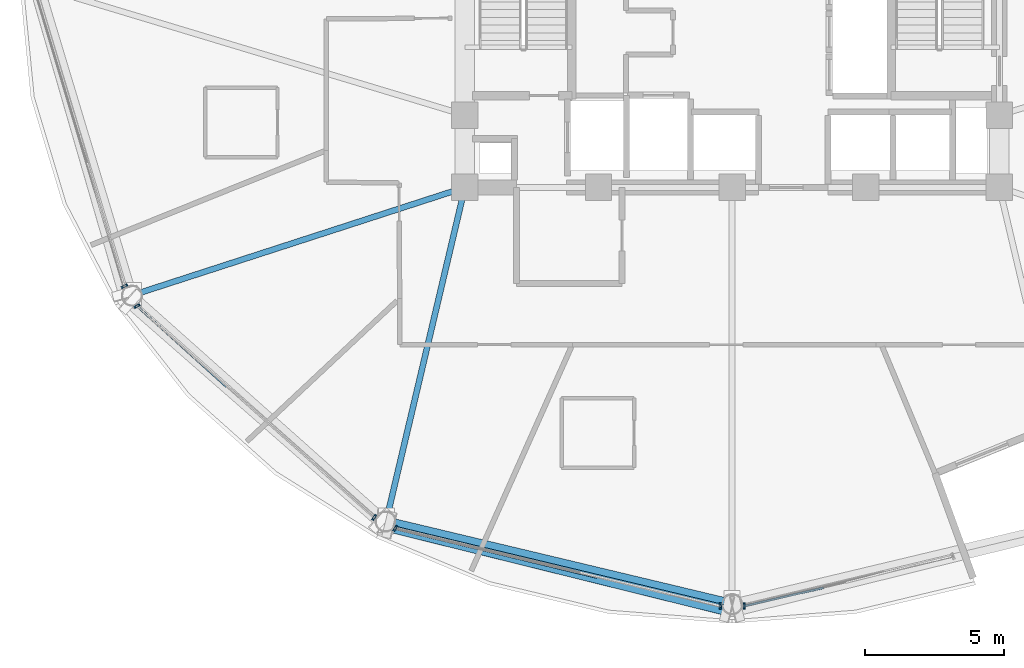
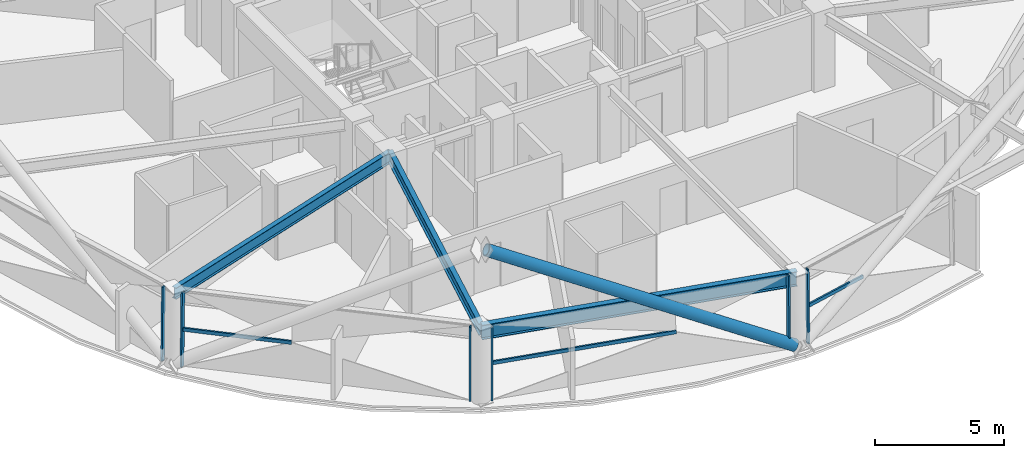
# One storey, part 2 of 17: 10 members, 3 beams, 4 elements without a shape of their own.
"""IFC4 building model written with IfcOpenShell, lengths in metres."""

from ifc_helpers import new_model, si_unit, direction, frame, origin, origin_2d, place, context, subcontext, project, spatial, hollow_rectangle, hollow_circle, i_section, extrude, material, layer, layer_set, material_profile, profile_set, type_object, element, aggregate, save


model = new_model("IFC4")

# Units and contexts
model_context = context("Model", 3, precision=1e-05, world=origin(), true_north=direction((0.0, 1.0)))
body_context = subcontext(model_context, "Body", "Model", "MODEL_VIEW")
ifc_project = project(units=[si_unit("LENGTHUNIT", "METRE"), si_unit("AREAUNIT", "SQUARE_METRE"), si_unit("VOLUMEUNIT", "CUBIC_METRE"), si_unit("PLANEANGLEUNIT", "RADIAN"), si_unit("MASSUNIT", "GRAM", prefix="KILO")], contexts=[model_context])

# Site, building, storey
site_placement = place(None, origin())
site = spatial("IfcSite", under=ifc_project, at=site_placement, CompositionType="ELEMENT")
building_placement = place(site_placement, origin())
building = spatial("IfcBuilding", under=site, at=building_placement, Name="Vantalir Tower", CompositionType="ELEMENT")
storey_placement = place(building_placement, frame((0.0, 0.0, 142.199951171875)))
storey = spatial("IfcBuildingStorey", under=building, at=storey_placement, Name="L35", CompositionType="ELEMENT", Elevation=142.199951171875)

# Beams
ifc_material_1 = material(Name="Steel S355", Category="steel")
ifc_material_profile_1 = material_profile(ifc_material_1, i_section(OverallWidth=0.2109375, OverallDepth=0.5390625, WebThickness=0.01171875, FlangeThickness=0.018798828125, at=origin_2d()), Name="Steel S355")
ifc_profile_set_1 = profile_set([ifc_material_profile_1], Name="Steel S355")
beam_type_1 = type_object("IfcBeamType", Name="BM-RB-533x210", PredefinedType="BEAM", material=ifc_profile_set_1)
beam_1_placement = place(storey_placement, frame((9.98388671875, 13.93798828125, 3.301025390625), z_axis=(0.951283551563, 0.308317376294, 0.0), x_axis=(-0.308317376294, 0.951283551563, 0.0)))
element("IfcBeam", 1, at=beam_1_placement, inside=storey, type_object=beam_type_1, Name="L35 Radial Floor Beam 08", PredefinedType="BEAM", context=body_context, shape_type="SweptSolid", body=[
    extrude(i_section(OverallWidth=0.2109375, OverallDepth=0.5390625, WebThickness=0.01171875, FlangeThickness=0.018798828125, at=origin_2d()), origin(), (0.0, 0.0, 1.0), 12.5263671875),
])
beam_2_placement = place(storey_placement, frame((19.076904296875, 5.840087890625, 3.301025390625), z_axis=(0.22972472879, 0.973255644208, 0.0), x_axis=(-0.973255644208, 0.22972472879, 0.0)))
element("IfcBeam", 2, at=beam_2_placement, inside=storey, type_object=beam_type_1, Name="L35 Radial Floor Beam 09", PredefinedType="BEAM", context=body_context, shape_type="SweptSolid", body=[
    extrude(i_section(OverallWidth=0.2109375, OverallDepth=0.5390625, WebThickness=0.01171875, FlangeThickness=0.018798828125, at=origin_2d()), origin(), (0.0, 0.0, 1.0), 12.28857421875),
])
ifc_material_2 = material(Name="Steel S460", Category="steel")
ifc_material_profile_2 = material_profile(ifc_material_2, i_section(OverallWidth=0.256103515625, OverallDepth=0.693115234375, WebThickness=0.014404296875, FlangeThickness=0.023681640625, at=origin_2d()), Name="Steel S460")
ifc_profile_set_2 = profile_set([ifc_material_profile_2], Name="Steel S460")
beam_type_2 = type_object("IfcBeamType", Name="BM-RG-686x254", PredefinedType="USERDEFINED", material=ifc_profile_set_2)
beam_3_placement = place(storey_placement, frame((19.076904296875, 5.840087890625, 3.22412109375), z_axis=(0.972696170028, -0.232082228561, 0.0), x_axis=(0.232082228561, 0.972696170028, 0.0)))
element("IfcBeam", 3, at=beam_3_placement, inside=storey, type_object=beam_type_2, Name="L35 Circumferential Ring Girder 09", ObjectType="GIRDER", PredefinedType="USERDEFINED", context=body_context, shape_type="SweptSolid", body=[
    extrude(i_section(OverallWidth=0.256103515625, OverallDepth=0.693115234375, WebThickness=0.014404296875, FlangeThickness=0.023681640625, at=origin_2d()), origin(), (0.0, 0.0, 1.0), 12.771728515625),
])

# Curtain wall, member
ifc_material_3 = material(Name="Champagne-silver PVDF aluminium and double-silver Low-E glass", Category="aluminium")
ifc_layer = layer(ifc_material_3, 0.199951171875)
ifc_layer_set = layer_set([ifc_layer], Name="Champagne-silver PVDF aluminium and double-silver Low-E glass")
curtain_wall_type = type_object("IfcCurtainWallType", Name="CW-DIAMOND-Z2", PredefinedType="USERDEFINED", material=ifc_layer_set)
curtain_wall_1_placement = place(storey_placement, origin())
curtain_wall_1 = element("IfcCurtainWall", 4, at=curtain_wall_1_placement, inside=storey, type_object=curtain_wall_type, Name="L35 Quilted Pyramid-Diamond Curtain Wall S07", ObjectType="UNITISED CURTAIN WALL", PredefinedType="USERDEFINED")
ifc_material_4 = material(Name="Champagne-silver PVDF aluminium 6063-T6", Category="aluminium")
ifc_material_profile_3 = material_profile(ifc_material_4, hollow_rectangle(XDim=0.074951171875, YDim=0.179931640625, WallThickness=0.00390625, at=origin_2d()), Name="Champagne-silver PVDF aluminium 6063-T6")
ifc_profile_set_3 = profile_set([ifc_material_profile_3], Name="Champagne-silver PVDF aluminium 6063-T6")
member_type_1 = type_object("IfcMemberType", Name="CWM-180x75", PredefinedType="MULLION", material=ifc_profile_set_3)
member_1_placement = place(storey_placement, frame((9.637939453125, 14.236083984375, 0.045166015625), z_axis=(0.015502060957, 0.007996538231, 0.999847859168), x_axis=(-0.458438038271, 0.888726372438, 0.0)))
member_1 = element("IfcMember", 5, at=member_1_placement, type_object=member_type_1, Name="CW-L35-S07 Mullion 2", PredefinedType="MULLION", context=body_context, shape_type="SweptSolid", body=[
    extrude(hollow_rectangle(XDim=0.074951171875, YDim=0.179931640625, WallThickness=0.00390625, at=origin_2d()), origin(), (0.0, 0.0, 1.0), 3.48046875),
])
aggregate(curtain_wall_1, [member_1])

# Curtain wall, members
curtain_wall_2_placement = place(storey_placement, origin())
curtain_wall_2 = element("IfcCurtainWall", 6, at=curtain_wall_2_placement, inside=storey, type_object=curtain_wall_type, Name="L35 Quilted Pyramid-Diamond Curtain Wall S08", ObjectType="UNITISED CURTAIN WALL", PredefinedType="USERDEFINED")
member_2_placement = place(storey_placement, frame((10.093017578125, 13.52197265625, 0.045166015625), z_axis=(0.015502052223, 0.008066678759, 0.999847295876), x_axis=(-0.461605486228, 0.887085325707, 0.0)))
member_2 = element("IfcMember", 7, at=member_2_placement, type_object=member_type_1, Name="CW-L35-S08 Mullion 1", PredefinedType="MULLION", context=body_context, shape_type="SweptSolid", body=[
    extrude(hollow_rectangle(XDim=0.074951171875, YDim=0.179931640625, WallThickness=0.00390625, at=origin_2d()), origin(), (0.0, 0.0, 1.0), 3.48046875),
])
member_3_placement = place(storey_placement, frame((18.623046875, 5.919921875, 0.045166015625), z_axis=(0.008908540481, 0.014099343596, 0.999860913536), x_axis=(-0.845388945684, 0.534151224388, 0.0)))
member_3 = element("IfcMember", 8, at=member_3_placement, type_object=member_type_1, Name="CW-L35-S08 Mullion 2", PredefinedType="MULLION", context=body_context, shape_type="SweptSolid", body=[
    extrude(hollow_rectangle(XDim=0.074951171875, YDim=0.179931640625, WallThickness=0.00390625, at=origin_2d()), origin(), (0.0, 0.0, 1.0), 3.48046875),
])

curtain_wall_3_placement = place(storey_placement, origin())
curtain_wall_3 = element("IfcCurtainWall", 9, at=curtain_wall_3_placement, inside=storey, type_object=curtain_wall_type, Name="L35 Quilted Pyramid-Diamond Curtain Wall S09", ObjectType="UNITISED CURTAIN WALL", PredefinedType="USERDEFINED")
member_4_placement = place(storey_placement, frame((19.37890625, 5.52490234375, 0.045166015625), z_axis=(0.008908540481, 0.014099343596, 0.999860913536), x_axis=(-0.845388945684, 0.534151224388, 0.0)))
member_4 = element("IfcMember", 10, at=member_4_placement, type_object=member_type_1, Name="CW-L35-S09 Mullion 1", PredefinedType="MULLION", context=body_context, shape_type="SweptSolid", body=[
    extrude(hollow_rectangle(XDim=0.074951171875, YDim=0.179931640625, WallThickness=0.00390625, at=origin_2d()), origin(), (0.0, 0.0, 1.0), 3.48046875),
])
member_5_placement = place(storey_placement, frame((31.072021484375, 2.73193359375, 0.045166015625), z_axis=(0.0, 0.016133721334, 0.999869843048), x_axis=(-1.0, 0.0, 0.0)))
member_5 = element("IfcMember", 11, at=member_5_placement, type_object=member_type_1, Name="CW-L35-S09 Mullion 2", PredefinedType="MULLION", context=body_context, shape_type="SweptSolid", body=[
    extrude(hollow_rectangle(XDim=0.074951171875, YDim=0.179931640625, WallThickness=0.00390625, at=origin_2d()), origin(), (0.0, 0.0, 1.0), 3.48046875),
])

# Curtain wall, member
curtain_wall_4_placement = place(storey_placement, origin())
curtain_wall_4 = element("IfcCurtainWall", 12, at=curtain_wall_4_placement, inside=storey, type_object=curtain_wall_type, Name="L35 Quilted Pyramid-Diamond Curtain Wall S10", ObjectType="UNITISED CURTAIN WALL", PredefinedType="USERDEFINED")
member_6_placement = place(storey_placement, frame((31.927978515625, 2.73193359375, 0.045166015625), z_axis=(0.0, 0.016133721334, 0.999869843048), x_axis=(-1.0, 0.0, 0.0)))
member_6 = element("IfcMember", 13, at=member_6_placement, type_object=member_type_1, Name="CW-L35-S10 Mullion 1", PredefinedType="MULLION", context=body_context, shape_type="SweptSolid", body=[
    extrude(hollow_rectangle(XDim=0.074951171875, YDim=0.179931640625, WallThickness=0.00390625, at=origin_2d()), origin(), (0.0, 0.0, 1.0), 3.48046875),
])

# Member
ifc_material_profile_4 = material_profile(ifc_material_4, hollow_rectangle(XDim=0.074951171875, YDim=0.159912109375, WallThickness=0.00390625, at=origin_2d()), Name="Champagne-silver PVDF aluminium 6063-T6")
ifc_profile_set_4 = profile_set([ifc_material_profile_4], Name="Champagne-silver PVDF aluminium 6063-T6")
member_type_2 = type_object("IfcMemberType", Name="CWT-160x75", PredefinedType="USERDEFINED", material=ifc_profile_set_4)
member_7_placement = place(storey_placement, frame((10.1201171875, 13.535888671875, 1.78515625), z_axis=(0.742845577777, -0.669462805223, 0.0), x_axis=(0.669462805223, 0.742845577777, 0.0)))
member_7 = element("IfcMember", 14, at=member_7_placement, type_object=member_type_2, Name="CW-L35-S08 Pyramid Fold Ridge Transom", ObjectType="TRANSOM", PredefinedType="USERDEFINED", context=body_context, shape_type="SweptSolid", body=[
    extrude(hollow_rectangle(XDim=0.074951171875, YDim=0.159912109375, WallThickness=0.00390625, at=origin_2d()), origin(), (0.0, 0.0, 1.0), 4.331787109375),
])

aggregate(curtain_wall_2, [member_2, member_3, member_7])

member_8_placement = place(storey_placement, frame((19.39404296875, 5.549072265625, 1.78515625), z_axis=(0.971910150016, -0.235352204782, 0.0), x_axis=(0.235352204782, 0.971910150016, 0.0)))
member_8 = element("IfcMember", 15, at=member_8_placement, type_object=member_type_2, Name="CW-L35-S09 Pyramid Fold Ridge Transom", ObjectType="TRANSOM", PredefinedType="USERDEFINED", context=body_context, shape_type="SweptSolid", body=[
    extrude(hollow_rectangle(XDim=0.074951171875, YDim=0.159912109375, WallThickness=0.00390625, at=origin_2d()), origin(), (0.0, 0.0, 1.0), 7.44384765625),
])

aggregate(curtain_wall_3, [member_4, member_5, member_8])

member_9_placement = place(storey_placement, frame((31.927978515625, 2.760009765625, 1.78515625), z_axis=(0.974496497444, 0.224402710476, 0.0), x_axis=(-0.224402710476, 0.974496497444, 0.0)))
member_9 = element("IfcMember", 16, at=member_9_placement, type_object=member_type_2, Name="CW-L35-S10 Pyramid Fold Ridge Transom", ObjectType="TRANSOM", PredefinedType="USERDEFINED", context=body_context, shape_type="SweptSolid", body=[
    extrude(hollow_rectangle(XDim=0.074951171875, YDim=0.159912109375, WallThickness=0.00390625, at=origin_2d()), origin(), (0.0, 0.0, 1.0), 2.927734375),
])

aggregate(curtain_wall_4, [member_6, member_9])

ifc_material_profile_5 = material_profile(ifc_material_2, hollow_circle(Radius=0.260009765625, WallThickness=0.0380859375, at=origin_2d()), Name="Steel S460")
ifc_profile_set_5 = profile_set([ifc_material_profile_5], Name="Steel S460")
member_type_3 = type_object("IfcMemberType", Name="MEM-DB-520x38", PredefinedType="BRACE", material=ifc_profile_set_5)
member_10_placement = place(storey_placement, frame((31.31298828125, 2.676025390625, 0.18701171875), z_axis=(-0.848125743532, 0.210121165766, 0.486345369933), x_axis=(-0.240477434875, -0.970654729199, 0.0)))
element("IfcMember", 17, at=member_10_placement, inside=storey, type_object=member_type_3, Name="L35 Perimeter S460 Diagrid Brace R28R", PredefinedType="BRACE", context=body_context, shape_type="SweptSolid", body=[
    extrude(hollow_circle(Radius=0.260009765625, WallThickness=0.0380859375, at=origin_2d()), origin(), (0.0, 0.0, 1.0), 14.2822265625),
])

save(model, "model.ifc")
